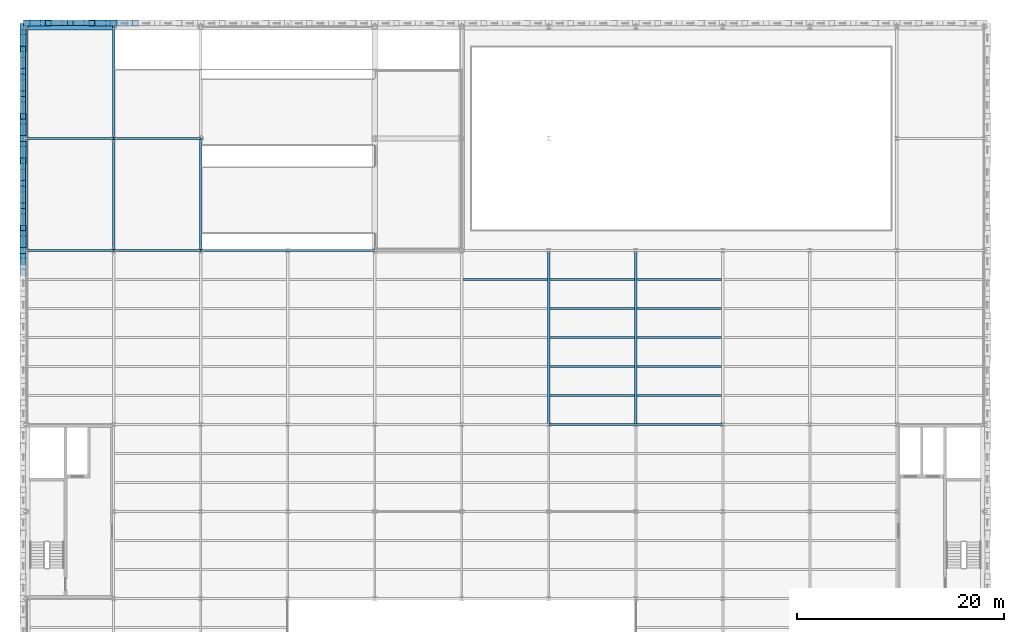
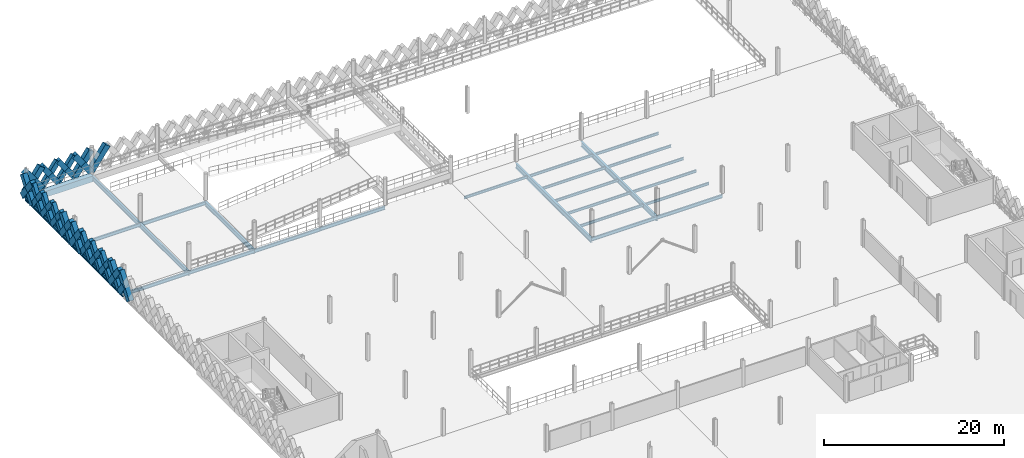
# One storey, part 27 of 74: 47 members, 27 beams.
"""IFC4 building model written with IfcOpenShell, lengths in metres."""

from ifc_helpers import new_model, si_unit, direction, frame, origin, origin_2d, place, context, subcontext, project, spatial, rectangle, hollow_rectangle, i_section, extrude, material, material_profile, profile_set, type_object, element, save


model = new_model("IFC4")

# Units and contexts
model_context = context("Model", 3, precision=1e-05, world=origin(), true_north=direction((0.0, 1.0)))
body_context = subcontext(model_context, "Body", "Model", "MODEL_VIEW")
ifc_project = project(units=[si_unit("LENGTHUNIT", "METRE"), si_unit("AREAUNIT", "SQUARE_METRE"), si_unit("VOLUMEUNIT", "CUBIC_METRE"), si_unit("PLANEANGLEUNIT", "RADIAN"), si_unit("MASSUNIT", "GRAM", prefix="KILO"), si_unit("THERMODYNAMICTEMPERATUREUNIT", "KELVIN"), si_unit("POWERUNIT", "WATT")], contexts=[model_context])

# Site, building, storey
site_placement = place(None, origin())
site = spatial("IfcSite", under=ifc_project, at=site_placement, CompositionType="ELEMENT")
building_placement = place(site_placement, origin())
building = spatial("IfcBuilding", under=site, at=building_placement, Name="Tembeka Court Mobility Hub", CompositionType="ELEMENT")
storey_placement = place(building_placement, frame((0.0, 0.0, 12.60009765625)))
storey = spatial("IfcBuildingStorey", under=building, at=storey_placement, Name="L03", CompositionType="ELEMENT", Elevation=12.60009765625)

# Beams
ifc_material_1 = material(Name="Steel S355", Category="steel")
ifc_material_profile_1 = material_profile(ifc_material_1, i_section(OverallWidth=0.18994140625, OverallDepth=0.45703125, WebThickness=0.009033203125, FlangeThickness=0.014404296875, FilletRadius=0.01025390625, at=origin_2d()), Name="UKB 457x191x74")
ifc_profile_set_1 = profile_set([ifc_material_profile_1], Name="Steel S355")
beam_type_1 = type_object("IfcBeamType", Name="BM-B01", PredefinedType="BEAM", material=ifc_profile_set_1)
beam_1_placement = place(storey_placement, frame((50.39990234375, 80.39990234375, -0.448486328125), z_axis=(1.0, 0.0, 0.0), x_axis=(0.0, 1.0, 0.0)))
element("IfcBeam", 1, at=beam_1_placement, inside=storey, type_object=beam_type_1, Name="Beam B01 (BM-L03-X1787)", PredefinedType="BEAM", context=body_context, shape_type="SweptSolid", body=[
    extrude(i_section(OverallWidth=0.18994140625, OverallDepth=0.45703125, WebThickness=0.009033203125, FlangeThickness=0.014404296875, FilletRadius=0.01025390625, at=origin_2d()), origin(), (0.0, 0.0, 1.0), 8.400146484375),
])
for number, where, z_axis, x_axis, name in (
    (2, (58.800048828125, 80.39990234375, -0.448486328125), (1.0, 0.0, 0.0), (0.0, 1.0, 0.0), "Beam B01 (BM-L03-X1788)"),
    (3, (0.0, 97.199951171875, -0.478515625), (1.0, 0.0, 0.0), (0.0, 1.0, 0.0), "Beam B01 (BM-L03-X1792)"),
):
    element("IfcBeam", number, at=place(storey_placement, frame(where, z_axis=z_axis, x_axis=x_axis)), inside=storey, type_object=beam_type_1, Name=name, PredefinedType="BEAM", context=body_context, shape_type="SweptSolid", body=[
        extrude(i_section(OverallWidth=0.18994140625, OverallDepth=0.45703125, WebThickness=0.009033203125, FlangeThickness=0.014404296875, FilletRadius=0.01025390625, at=origin_2d()), origin(), (0.0, 0.0, 1.0), 8.39990234375),
    ])
beam_2_placement = place(storey_placement, frame((8.39990234375, 97.199951171875, -0.478515625), z_axis=(1.0, 0.0, 0.0), x_axis=(0.0, 1.0, 0.0)))
element("IfcBeam", 4, at=beam_2_placement, inside=storey, type_object=beam_type_1, Name="Beam B01 (BM-L03-X1793)", PredefinedType="BEAM", context=body_context, shape_type="SweptSolid", body=[
    extrude(i_section(OverallWidth=0.18994140625, OverallDepth=0.45703125, WebThickness=0.009033203125, FlangeThickness=0.014404296875, FilletRadius=0.01025390625, at=origin_2d()), origin(), (0.0, 0.0, 1.0), 8.400146484375),
])
beam_3_placement = place(storey_placement, frame((16.800048828125, 97.199951171875, -0.478515625), z_axis=(1.0, 0.0, 0.0), x_axis=(0.0, 1.0, 0.0)))
element("IfcBeam", 5, at=beam_3_placement, inside=storey, type_object=beam_type_1, Name="Beam B01 (BM-L03-X1794)", PredefinedType="BEAM", context=body_context, shape_type="SweptSolid", body=[
    extrude(i_section(OverallWidth=0.18994140625, OverallDepth=0.45703125, WebThickness=0.009033203125, FlangeThickness=0.014404296875, FilletRadius=0.01025390625, at=origin_2d()), origin(), (0.0, 0.0, 1.0), 8.39990234375),
])
beam_4_placement = place(storey_placement, frame((25.199951171875, 97.199951171875, -0.448486328125), z_axis=(1.0, 0.0, 0.0), x_axis=(0.0, 1.0, 0.0)))
element("IfcBeam", 6, at=beam_4_placement, inside=storey, type_object=beam_type_1, Name="Beam B01 (BM-L03-X1795)", PredefinedType="BEAM", context=body_context, shape_type="SweptSolid", body=[
    extrude(i_section(OverallWidth=0.18994140625, OverallDepth=0.45703125, WebThickness=0.009033203125, FlangeThickness=0.014404296875, FilletRadius=0.01025390625, at=origin_2d()), origin(), (0.0, 0.0, 1.0), 8.400146484375),
])
beam_5_placement = place(storey_placement, frame((0.0, 108.0, -0.478515625), z_axis=(1.0, 0.0, 0.0), x_axis=(0.0, 1.0, 0.0)))
element("IfcBeam", 7, at=beam_5_placement, inside=storey, type_object=beam_type_1, Name="Beam B01 (BM-L03-X1803)", PredefinedType="BEAM", context=body_context, shape_type="SweptSolid", body=[
    extrude(i_section(OverallWidth=0.18994140625, OverallDepth=0.45703125, WebThickness=0.009033203125, FlangeThickness=0.014404296875, FilletRadius=0.01025390625, at=origin_2d()), origin(), (0.0, 0.0, 1.0), 8.39990234375),
])
beam_6_placement = place(storey_placement, frame((8.39990234375, 108.0, -0.478515625), z_axis=(1.0, 0.0, 0.0), x_axis=(0.0, 1.0, 0.0)))
element("IfcBeam", 8, at=beam_6_placement, inside=storey, type_object=beam_type_1, Name="Beam B01 (BM-L03-X1804)", PredefinedType="BEAM", context=body_context, shape_type="SweptSolid", body=[
    extrude(i_section(OverallWidth=0.18994140625, OverallDepth=0.45703125, WebThickness=0.009033203125, FlangeThickness=0.014404296875, FilletRadius=0.01025390625, at=origin_2d()), origin(), (0.0, 0.0, 1.0), 8.400146484375),
])
ifc_material_profile_2 = material_profile(ifc_material_1, i_section(OverallWidth=0.25390625, OverallDepth=0.68408203125, WebThickness=0.012451171875, FlangeThickness=0.01904296875, FilletRadius=0.01513671875, at=origin_2d()), Name="UKB 686x254x140")
ifc_profile_set_2 = profile_set([ifc_material_profile_2], Name="Steel S355")
beam_type_2 = type_object("IfcBeamType", Name="BM-G01", PredefinedType="USERDEFINED", material=ifc_profile_set_2)
for number, where, z_axis, x_axis, name in (
    (9, (50.39990234375, 80.39990234375, -0.56201171875), (0.0, 1.0, 0.0), (-1.0, 0.0, 0.0), "Beam G01 (BM-L03-Y1877)"),
    (10, (58.800048828125, 80.39990234375, -0.56201171875), (0.0, 1.0, 0.0), (-1.0, 0.0, 0.0), "Beam G01 (BM-L03-Y1884)"),
):
    element("IfcBeam", number, at=place(storey_placement, frame(where, z_axis=z_axis, x_axis=x_axis)), inside=storey, type_object=beam_type_2, Name=name, ObjectType="GIRDER", PredefinedType="USERDEFINED", context=body_context, shape_type="SweptSolid", body=[
        extrude(i_section(OverallWidth=0.25390625, OverallDepth=0.68408203125, WebThickness=0.012451171875, FlangeThickness=0.01904296875, FilletRadius=0.01513671875, at=origin_2d()), origin(), (0.0, 0.0, 1.0), 16.800048828125),
    ])
ifc_material_profile_3 = material_profile(ifc_material_1, i_section(OverallWidth=0.22900390625, OverallDepth=0.612060546875, WebThickness=0.011962890625, FlangeThickness=0.01953125, FilletRadius=0.0126953125, at=origin_2d()), Name="UKB 610x229x125")
ifc_profile_set_3 = profile_set([ifc_material_profile_3], Name="Steel S355")
beam_type_3 = type_object("IfcBeamType", Name="BM-G02", PredefinedType="USERDEFINED", material=ifc_profile_set_3)
for number, where, z_axis, x_axis, name in (
    (11, (0.0, 97.199951171875, -0.526123046875), (0.0, 1.0, 0.0), (-1.0, 0.0, 0.0), "Beam G02 (BM-L03-Y1825)"),
    (12, (0.0, 108.0, -0.526123046875), (0.0, 1.0, 0.0), (-1.0, 0.0, 0.0), "Beam G02 (BM-L03-Y1826)"),
    (13, (8.39990234375, 97.199951171875, -0.55615234375), (0.0, 1.0, 0.0), (-1.0, 0.0, 0.0), "Beam G02 (BM-L03-Y1836)"),
    (14, (8.39990234375, 108.0, -0.55615234375), (0.0, 1.0, 0.0), (-1.0, 0.0, 0.0), "Beam G02 (BM-L03-Y1837)"),
    (15, (16.800048828125, 97.199951171875, -0.55615234375), (0.0, 1.0, 0.0), (-1.0, 0.0, 0.0), "Beam G02 (BM-L03-Y1847)"),
):
    element("IfcBeam", number, at=place(storey_placement, frame(where, z_axis=z_axis, x_axis=x_axis)), inside=storey, type_object=beam_type_3, Name=name, ObjectType="GIRDER", PredefinedType="USERDEFINED", context=body_context, shape_type="SweptSolid", body=[
        extrude(i_section(OverallWidth=0.22900390625, OverallDepth=0.612060546875, WebThickness=0.011962890625, FlangeThickness=0.01953125, FilletRadius=0.0126953125, at=origin_2d()), origin(), (0.0, 0.0, 1.0), 10.800048828125),
    ])
ifc_material_profile_4 = material_profile(ifc_material_1, i_section(OverallWidth=0.172119140625, OverallDepth=0.35498046875, WebThickness=0.00732421875, FlangeThickness=0.011474609375, FilletRadius=0.01025390625, at=origin_2d()), Name="UKB 356x171x51")
ifc_profile_set_4 = profile_set([ifc_material_profile_4], Name="Steel S355")
beam_type_4 = type_object("IfcBeamType", Name="BM-J01", PredefinedType="JOIST", material=ifc_profile_set_4)
for number, where, z_axis, x_axis, name in (
    (16, (42.1220703125, 94.39990234375, -0.397705078125), (1.0, 0.0, 0.0), (0.0, 1.0, 0.0), "Beam J01 (JST-L03-2051)"),
    (17, (50.52197265625, 83.199951171875, -0.397705078125), (1.0, 0.0, 0.0), (0.0, 1.0, 0.0), "Beam J01 (JST-L03-2065)"),
    (18, (50.52197265625, 86.0, -0.397705078125), (1.0, 0.0, 0.0), (0.0, 1.0, 0.0), "Beam J01 (JST-L03-2066)"),
    (19, (50.52197265625, 88.800048828125, -0.397705078125), (1.0, 0.0, 0.0), (0.0, 1.0, 0.0), "Beam J01 (JST-L03-2067)"),
    (20, (50.52197265625, 91.60009765625, -0.397705078125), (1.0, 0.0, 0.0), (0.0, 1.0, 0.0), "Beam J01 (JST-L03-2068)"),
    (21, (50.52197265625, 94.39990234375, -0.397705078125), (1.0, 0.0, 0.0), (0.0, 1.0, 0.0), "Beam J01 (JST-L03-2069)"),
):
    element("IfcBeam", number, at=place(storey_placement, frame(where, z_axis=z_axis, x_axis=x_axis)), inside=storey, type_object=beam_type_4, Name=name, PredefinedType="JOIST", context=body_context, shape_type="SweptSolid", body=[
        extrude(i_section(OverallWidth=0.172119140625, OverallDepth=0.35498046875, WebThickness=0.00732421875, FlangeThickness=0.011474609375, FilletRadius=0.01025390625, at=origin_2d()), origin(), (0.0, 0.0, 1.0), 8.156005859375),
    ])
for number, where, z_axis, x_axis, name in (
    (22, (58.922119140625, 83.199951171875, -0.397705078125), (1.0, 0.0, 0.0), (0.0, 1.0, 0.0), "Beam J01 (JST-L03-2085)"),
    (23, (58.922119140625, 86.0, -0.397705078125), (1.0, 0.0, 0.0), (0.0, 1.0, 0.0), "Beam J01 (JST-L03-2086)"),
    (24, (58.922119140625, 88.800048828125, -0.397705078125), (1.0, 0.0, 0.0), (0.0, 1.0, 0.0), "Beam J01 (JST-L03-2087)"),
    (25, (58.922119140625, 91.60009765625, -0.397705078125), (1.0, 0.0, 0.0), (0.0, 1.0, 0.0), "Beam J01 (JST-L03-2088)"),
    (26, (58.922119140625, 94.39990234375, -0.397705078125), (1.0, 0.0, 0.0), (0.0, 1.0, 0.0), "Beam J01 (JST-L03-2089)"),
):
    element("IfcBeam", number, at=place(storey_placement, frame(where, z_axis=z_axis, x_axis=x_axis)), inside=storey, type_object=beam_type_4, Name=name, PredefinedType="JOIST", context=body_context, shape_type="SweptSolid", body=[
        extrude(i_section(OverallWidth=0.172119140625, OverallDepth=0.35498046875, WebThickness=0.00732421875, FlangeThickness=0.011474609375, FilletRadius=0.01025390625, at=origin_2d()), origin(), (0.0, 0.0, 1.0), 8.15576171875),
    ])
ifc_material_2 = material(Name="Precast concrete C45/55", Category="concrete")
ifc_material_profile_5 = material_profile(ifc_material_2, rectangle(XDim=0.64990234375, YDim=0.800048828125, at=origin_2d()), Name="PC-SP 650x800")
ifc_profile_set_5 = profile_set([ifc_material_profile_5], Name="Precast concrete C45/55")
beam_type_5 = type_object("IfcBeamType", Name="BM-SP01", PredefinedType="SPANDREL", material=ifc_profile_set_5)
beam_7_placement = place(storey_placement, frame((0.0, 118.800048828125, -0.6201171875), z_axis=(1.0, 0.0, 0.0), x_axis=(0.0, 1.0, 0.0)))
element("IfcBeam", 27, at=beam_7_placement, inside=storey, type_object=beam_type_5, Name="Beam SP01 (BM-L03-X1806)", PredefinedType="SPANDREL", context=body_context, shape_type="SweptSolid", body=[
    extrude(rectangle(XDim=0.64990234375, YDim=0.800048828125, at=origin_2d()), origin(), (0.0, 0.0, 1.0), 8.39990234375),
])

# Members
ifc_material_profile_6 = material_profile(ifc_material_2, rectangle(XDim=0.5, YDim=0.64990234375, at=origin_2d()), Name="PC-DIAG 500x650")
ifc_profile_set_6 = profile_set([ifc_material_profile_6], Name="Precast concrete C45/55")
member_type_1 = type_object("IfcMemberType", Name="MEM-DL01", PredefinedType="BRACE", material=ifc_profile_set_6)
member_1_placement = place(storey_placement, frame((2.10009765625, 119.139892578125, 0.02001953125), z_axis=(0.58253161945, 0.0, 0.812808041509), x_axis=(0.0, 1.0, 0.0)))
element("IfcMember", 28, at=member_1_placement, inside=storey, type_object=member_type_1, Name="Precast diamond lattice continuous strand DL01 (L03-434A)", PredefinedType="BRACE", context=body_context, shape_type="SweptSolid", body=[
    extrude(rectangle(XDim=0.5, YDim=0.64990234375, at=origin_2d()), origin(), (0.0, 0.0, 1.0), 3.604736328125),
])
member_2_placement = place(storey_placement, frame((4.199951171875, 119.139892578125, 0.02001953125), z_axis=(-0.582608431711, 0.0, 0.812752985414), x_axis=(0.0, -1.0, 0.0)))
element("IfcMember", 29, at=member_2_placement, inside=storey, type_object=member_type_1, Name="Precast diamond lattice split lower strand DL01 (L03-434B1)", PredefinedType="BRACE", context=body_context, shape_type="SweptSolid", body=[
    extrude(rectangle(XDim=0.5, YDim=0.64990234375, at=origin_2d()), origin(), (0.0, 0.0, 1.0), 1.80224609375),
])
member_3_placement = place(storey_placement, frame((3.14990234375, 119.139892578125, 1.48486328125), z_axis=(-0.582454804382, 0.0, 0.812863088627), x_axis=(0.0, -1.0, 0.0)))
element("IfcMember", 30, at=member_3_placement, inside=storey, type_object=member_type_1, Name="Precast diamond lattice split upper strand DL01 (L03-434B2)", PredefinedType="BRACE", context=body_context, shape_type="SweptSolid", body=[
    extrude(rectangle(XDim=0.5, YDim=0.64990234375, at=origin_2d()), origin(), (0.0, 0.0, 1.0), 1.802490234375),
])
member_4_placement = place(storey_placement, frame((4.199951171875, 119.139892578125, 0.02001953125), z_axis=(0.582576362011, 0.0, 0.812775973086), x_axis=(0.0, 1.0, 0.0)))
element("IfcMember", 31, at=member_4_placement, inside=storey, type_object=member_type_1, Name="Precast diamond lattice continuous strand DL01 (L03-435A)", PredefinedType="BRACE", context=body_context, shape_type="SweptSolid", body=[
    extrude(rectangle(XDim=0.5, YDim=0.64990234375, at=origin_2d()), origin(), (0.0, 0.0, 1.0), 3.604736328125),
])
member_5_placement = place(storey_placement, frame((6.300048828125, 119.139892578125, 0.02001953125), z_axis=(-0.582608431711, 0.0, 0.812752985414), x_axis=(0.0, -1.0, 0.0)))
element("IfcMember", 32, at=member_5_placement, inside=storey, type_object=member_type_1, Name="Precast diamond lattice split lower strand DL01 (L03-435B1)", PredefinedType="BRACE", context=body_context, shape_type="SweptSolid", body=[
    extrude(rectangle(XDim=0.5, YDim=0.64990234375, at=origin_2d()), origin(), (0.0, 0.0, 1.0), 1.80224609375),
])
member_6_placement = place(storey_placement, frame((5.25, 119.139892578125, 1.48486328125), z_axis=(-0.582544294934, 0.0, 0.812798956963), x_axis=(0.0, -1.0, 0.0)))
element("IfcMember", 33, at=member_6_placement, inside=storey, type_object=member_type_1, Name="Precast diamond lattice split upper strand DL01 (L03-435B2)", PredefinedType="BRACE", context=body_context, shape_type="SweptSolid", body=[
    extrude(rectangle(XDim=0.5, YDim=0.64990234375, at=origin_2d()), origin(), (0.0, 0.0, 1.0), 1.802490234375),
])
member_7_placement = place(storey_placement, frame((-0.340087890625, 99.360107421875, 0.02001953125), z_axis=(0.0, 0.593379766398, 0.804922637792), x_axis=(-1.0, 0.0, 0.0)))
element("IfcMember", 34, at=member_7_placement, inside=storey, type_object=member_type_1, Name="Precast diamond lattice continuous strand DL01 (L03-524C)", PredefinedType="BRACE", context=body_context, shape_type="SweptSolid", body=[
    extrude(rectangle(XDim=0.5, YDim=0.64990234375, at=origin_2d()), origin(), (0.0, 0.0, 1.0), 3.64013671875),
])
for number, where, z_axis, x_axis, name in (
    (35, (-0.340087890625, 101.52001953125, 0.02001953125), (0.0, -0.593455255298, 0.804866982773), (1.0, 0.0, 0.0), "Precast diamond lattice split lower strand DL01 (L03-524D1)"),
    (36, (-0.340087890625, 100.43994140625, 1.48486328125), (0.0, -0.593304274421, 0.804978284151), (1.0, 0.0, 0.0), "Precast diamond lattice split upper strand DL01 (L03-524D2)"),
):
    element("IfcMember", number, at=place(storey_placement, frame(where, z_axis=z_axis, x_axis=x_axis)), inside=storey, type_object=member_type_1, Name=name, PredefinedType="BRACE", context=body_context, shape_type="SweptSolid", body=[
        extrude(rectangle(XDim=0.5, YDim=0.64990234375, at=origin_2d()), origin(), (0.0, 0.0, 1.0), 1.820068359375),
    ])
member_8_placement = place(storey_placement, frame((-0.340087890625, 101.52001953125, 0.02001953125), z_axis=(0.0, 0.593379766398, 0.804922637792), x_axis=(-1.0, 0.0, 0.0)))
element("IfcMember", 37, at=member_8_placement, inside=storey, type_object=member_type_1, Name="Precast diamond lattice continuous strand DL01 (L03-525C)", PredefinedType="BRACE", context=body_context, shape_type="SweptSolid", body=[
    extrude(rectangle(XDim=0.5, YDim=0.64990234375, at=origin_2d()), origin(), (0.0, 0.0, 1.0), 3.64013671875),
])
member_9_placement = place(storey_placement, frame((-0.340087890625, 103.679931640625, 0.02001953125), z_axis=(0.0, -0.593368344659, 0.804931057642), x_axis=(1.0, 0.0, 0.0)))
element("IfcMember", 38, at=member_9_placement, inside=storey, type_object=member_type_1, Name="Precast diamond lattice split lower strand DL01 (L03-525D1)", PredefinedType="BRACE", context=body_context, shape_type="SweptSolid", body=[
    extrude(rectangle(XDim=0.5, YDim=0.64990234375, at=origin_2d()), origin(), (0.0, 0.0, 1.0), 1.81982421875),
])
member_10_placement = place(storey_placement, frame((-0.340087890625, 102.60009765625, 1.48486328125), z_axis=(0.0, -0.593391185876, 0.804914219358), x_axis=(1.0, 0.0, 0.0)))
element("IfcMember", 39, at=member_10_placement, inside=storey, type_object=member_type_1, Name="Precast diamond lattice split upper strand DL01 (L03-525D2)", PredefinedType="BRACE", context=body_context, shape_type="SweptSolid", body=[
    extrude(rectangle(XDim=0.5, YDim=0.64990234375, at=origin_2d()), origin(), (0.0, 0.0, 1.0), 1.820068359375),
])
member_11_placement = place(storey_placement, frame((-0.340087890625, 103.679931640625, 0.02001953125), z_axis=(0.0, 0.593423219328, 0.804890602978), x_axis=(-1.0, 0.0, 0.0)))
element("IfcMember", 40, at=member_11_placement, inside=storey, type_object=member_type_1, Name="Precast diamond lattice continuous strand DL01 (L03-526C)", PredefinedType="BRACE", context=body_context, shape_type="SweptSolid", body=[
    extrude(rectangle(XDim=0.5, YDim=0.64990234375, at=origin_2d()), origin(), (0.0, 0.0, 1.0), 3.64013671875),
])
for number, where, z_axis, x_axis, name in (
    (41, (-0.340087890625, 105.840087890625, 0.02001953125), (0.0, -0.593455255298, 0.804866982773), (1.0, 0.0, 0.0), "Precast diamond lattice split lower strand DL01 (L03-526D1)"),
    (42, (-0.340087890625, 104.760009765625, 1.48486328125), (0.0, -0.593391185876, 0.804914219358), (1.0, 0.0, 0.0), "Precast diamond lattice split upper strand DL01 (L03-526D2)"),
):
    element("IfcMember", number, at=place(storey_placement, frame(where, z_axis=z_axis, x_axis=x_axis)), inside=storey, type_object=member_type_1, Name=name, PredefinedType="BRACE", context=body_context, shape_type="SweptSolid", body=[
        extrude(rectangle(XDim=0.5, YDim=0.64990234375, at=origin_2d()), origin(), (0.0, 0.0, 1.0), 1.820068359375),
    ])
member_12_placement = place(storey_placement, frame((-0.340087890625, 110.159912109375, 0.02001953125), z_axis=(0.0, 0.593423219328, 0.804890602978), x_axis=(-1.0, 0.0, 0.0)))
element("IfcMember", 43, at=member_12_placement, inside=storey, type_object=member_type_1, Name="Precast diamond lattice continuous strand DL01 (L03-529C)", PredefinedType="BRACE", context=body_context, shape_type="SweptSolid", body=[
    extrude(rectangle(XDim=0.5, YDim=0.64990234375, at=origin_2d()), origin(), (0.0, 0.0, 1.0), 3.64013671875),
])
for number, where, z_axis, x_axis, name in (
    (44, (-0.340087890625, 112.320068359375, 0.02001953125), (0.0, -0.593455255298, 0.804866982773), (1.0, 0.0, 0.0), "Precast diamond lattice split lower strand DL01 (L03-529D1)"),
    (45, (-0.340087890625, 111.239990234375, 1.48486328125), (0.0, -0.593391185876, 0.804914219358), (1.0, 0.0, 0.0), "Precast diamond lattice split upper strand DL01 (L03-529D2)"),
):
    element("IfcMember", number, at=place(storey_placement, frame(where, z_axis=z_axis, x_axis=x_axis)), inside=storey, type_object=member_type_1, Name=name, PredefinedType="BRACE", context=body_context, shape_type="SweptSolid", body=[
        extrude(rectangle(XDim=0.5, YDim=0.64990234375, at=origin_2d()), origin(), (0.0, 0.0, 1.0), 1.820068359375),
    ])
member_13_placement = place(storey_placement, frame((-0.340087890625, 112.320068359375, 0.02001953125), z_axis=(0.0, 0.593379766398, 0.804922637792), x_axis=(-1.0, 0.0, 0.0)))
element("IfcMember", 46, at=member_13_placement, inside=storey, type_object=member_type_1, Name="Precast diamond lattice continuous strand DL01 (L03-530C)", PredefinedType="BRACE", context=body_context, shape_type="SweptSolid", body=[
    extrude(rectangle(XDim=0.5, YDim=0.64990234375, at=origin_2d()), origin(), (0.0, 0.0, 1.0), 3.64013671875),
])
for number, where, z_axis, x_axis, name in (
    (47, (-0.340087890625, 114.47998046875, 0.02001953125), (0.0, -0.593455255298, 0.804866982773), (1.0, 0.0, 0.0), "Precast diamond lattice split lower strand DL01 (L03-530D1)"),
    (48, (-0.340087890625, 113.39990234375, 1.48486328125), (0.0, -0.593304274421, 0.804978284151), (1.0, 0.0, 0.0), "Precast diamond lattice split upper strand DL01 (L03-530D2)"),
):
    element("IfcMember", number, at=place(storey_placement, frame(where, z_axis=z_axis, x_axis=x_axis)), inside=storey, type_object=member_type_1, Name=name, PredefinedType="BRACE", context=body_context, shape_type="SweptSolid", body=[
        extrude(rectangle(XDim=0.5, YDim=0.64990234375, at=origin_2d()), origin(), (0.0, 0.0, 1.0), 1.820068359375),
    ])
member_14_placement = place(storey_placement, frame((-0.340087890625, 114.47998046875, 0.02001953125), z_axis=(0.0, 0.593379766398, 0.804922637792), x_axis=(-1.0, 0.0, 0.0)))
element("IfcMember", 49, at=member_14_placement, inside=storey, type_object=member_type_1, Name="Precast diamond lattice continuous strand DL01 (L03-531C)", PredefinedType="BRACE", context=body_context, shape_type="SweptSolid", body=[
    extrude(rectangle(XDim=0.5, YDim=0.64990234375, at=origin_2d()), origin(), (0.0, 0.0, 1.0), 3.64013671875),
])
member_15_placement = place(storey_placement, frame((-0.340087890625, 116.639892578125, 0.02001953125), z_axis=(0.0, -0.593368344659, 0.804931057642), x_axis=(1.0, 0.0, 0.0)))
element("IfcMember", 50, at=member_15_placement, inside=storey, type_object=member_type_1, Name="Precast diamond lattice split lower strand DL01 (L03-531D1)", PredefinedType="BRACE", context=body_context, shape_type="SweptSolid", body=[
    extrude(rectangle(XDim=0.5, YDim=0.64990234375, at=origin_2d()), origin(), (0.0, 0.0, 1.0), 1.81982421875),
])
member_16_placement = place(storey_placement, frame((-0.340087890625, 115.56005859375, 1.48486328125), z_axis=(0.0, -0.593391185876, 0.804914219358), x_axis=(1.0, 0.0, 0.0)))
element("IfcMember", 51, at=member_16_placement, inside=storey, type_object=member_type_1, Name="Precast diamond lattice split upper strand DL01 (L03-531D2)", PredefinedType="BRACE", context=body_context, shape_type="SweptSolid", body=[
    extrude(rectangle(XDim=0.5, YDim=0.64990234375, at=origin_2d()), origin(), (0.0, 0.0, 1.0), 1.820068359375),
])
ifc_material_profile_7 = material_profile(ifc_material_2, rectangle(XDim=0.60009765625, YDim=0.75, at=origin_2d()), Name="PC-DIAG 600x750")
ifc_profile_set_7 = profile_set([ifc_material_profile_7], Name="Precast concrete C45/55")
member_type_2 = type_object("IfcMemberType", Name="MEM-DL02", PredefinedType="BRACE", material=ifc_profile_set_7)
member_17_placement = place(storey_placement, frame((0.0, 119.139892578125, 0.02001953125), z_axis=(0.582576362011, 0.0, 0.812775973086), x_axis=(0.0, 1.0, 0.0)))
element("IfcMember", 52, at=member_17_placement, inside=storey, type_object=member_type_2, Name="Precast diamond lattice continuous strand DL02 (L03-433A)", PredefinedType="BRACE", context=body_context, shape_type="SweptSolid", body=[
    extrude(rectangle(XDim=0.60009765625, YDim=0.75, at=origin_2d()), origin(), (0.0, 0.0, 1.0), 3.604736328125),
])
member_18_placement = place(storey_placement, frame((2.10009765625, 119.139892578125, 0.02001953125), z_axis=(-0.582608431711, 0.0, 0.812752985414), x_axis=(0.0, -1.0, 0.0)))
element("IfcMember", 53, at=member_18_placement, inside=storey, type_object=member_type_2, Name="Precast diamond lattice split lower strand DL02 (L03-433B1)", PredefinedType="BRACE", context=body_context, shape_type="SweptSolid", body=[
    extrude(rectangle(XDim=0.60009765625, YDim=0.75, at=origin_2d()), origin(), (0.0, 0.0, 1.0), 1.80224609375),
])
member_19_placement = place(storey_placement, frame((1.050048828125, 119.139892578125, 1.48486328125), z_axis=(-0.582544294934, 0.0, 0.812798956963), x_axis=(0.0, -1.0, 0.0)))
element("IfcMember", 54, at=member_19_placement, inside=storey, type_object=member_type_2, Name="Precast diamond lattice split upper strand DL02 (L03-433B2)", PredefinedType="BRACE", context=body_context, shape_type="SweptSolid", body=[
    extrude(rectangle(XDim=0.60009765625, YDim=0.75, at=origin_2d()), origin(), (0.0, 0.0, 1.0), 1.802490234375),
])
member_20_placement = place(storey_placement, frame((6.300048828125, 119.139892578125, 0.02001953125), z_axis=(0.58253161945, 0.0, 0.812808041509), x_axis=(0.0, 1.0, 0.0)))
element("IfcMember", 55, at=member_20_placement, inside=storey, type_object=member_type_2, Name="Precast diamond lattice continuous strand DL02 (L03-436A)", PredefinedType="BRACE", context=body_context, shape_type="SweptSolid", body=[
    extrude(rectangle(XDim=0.60009765625, YDim=0.75, at=origin_2d()), origin(), (0.0, 0.0, 1.0), 3.604736328125),
])
member_21_placement = place(storey_placement, frame((8.39990234375, 119.139892578125, 0.02001953125), z_axis=(-0.582518941428, 0.0, 0.812817127574), x_axis=(0.0, -1.0, 0.0)))
element("IfcMember", 56, at=member_21_placement, inside=storey, type_object=member_type_2, Name="Precast diamond lattice split lower strand DL02 (L03-436B1)", PredefinedType="BRACE", context=body_context, shape_type="SweptSolid", body=[
    extrude(rectangle(XDim=0.60009765625, YDim=0.75, at=origin_2d()), origin(), (0.0, 0.0, 1.0), 1.80224609375),
])
member_22_placement = place(storey_placement, frame((7.35009765625, 119.139892578125, 1.48486328125), z_axis=(-0.582544294934, 0.0, 0.812798956963), x_axis=(0.0, -1.0, 0.0)))
element("IfcMember", 57, at=member_22_placement, inside=storey, type_object=member_type_2, Name="Precast diamond lattice split upper strand DL02 (L03-436B2)", PredefinedType="BRACE", context=body_context, shape_type="SweptSolid", body=[
    extrude(rectangle(XDim=0.60009765625, YDim=0.75, at=origin_2d()), origin(), (0.0, 0.0, 1.0), 1.802490234375),
])
for number, where, z_axis, x_axis, name in (
    (58, (8.39990234375, 119.139892578125, 0.02001953125), (0.582576362011, 0.0, 0.812775973086), (0.0, 1.0, 0.0), "Precast diamond lattice continuous strand DL02 (L03-437A)"),
    (59, (-0.340087890625, 95.10009765625, 0.02001953125), (0.0, 0.58253161945, 0.812808041509), (-1.0, 0.0, 0.0), "Precast diamond lattice continuous strand DL02 (L03-522C)"),
):
    element("IfcMember", number, at=place(storey_placement, frame(where, z_axis=z_axis, x_axis=x_axis)), inside=storey, type_object=member_type_2, Name=name, PredefinedType="BRACE", context=body_context, shape_type="SweptSolid", body=[
        extrude(rectangle(XDim=0.60009765625, YDim=0.75, at=origin_2d()), origin(), (0.0, 0.0, 1.0), 3.604736328125),
    ])
member_23_placement = place(storey_placement, frame((-0.340087890625, 97.199951171875, 0.02001953125), z_axis=(0.0, -0.582608431711, 0.812752985414), x_axis=(1.0, 0.0, 0.0)))
element("IfcMember", 60, at=member_23_placement, inside=storey, type_object=member_type_2, Name="Precast diamond lattice split lower strand DL02 (L03-522D1)", PredefinedType="BRACE", context=body_context, shape_type="SweptSolid", body=[
    extrude(rectangle(XDim=0.60009765625, YDim=0.75, at=origin_2d()), origin(), (0.0, 0.0, 1.0), 1.80224609375),
])
member_24_placement = place(storey_placement, frame((-0.340087890625, 97.199951171875, 0.02001953125), z_axis=(0.0, 0.593423219328, 0.804890602978), x_axis=(-1.0, 0.0, 0.0)))
element("IfcMember", 61, at=member_24_placement, inside=storey, type_object=member_type_2, Name="Precast diamond lattice continuous strand DL02 (L03-523C)", PredefinedType="BRACE", context=body_context, shape_type="SweptSolid", body=[
    extrude(rectangle(XDim=0.60009765625, YDim=0.75, at=origin_2d()), origin(), (0.0, 0.0, 1.0), 3.64013671875),
])
for number, where, z_axis, x_axis, name in (
    (62, (-0.340087890625, 99.360107421875, 0.02001953125), (0.0, -0.593455255298, 0.804866982773), (1.0, 0.0, 0.0), "Precast diamond lattice split lower strand DL02 (L03-523D1)"),
    (63, (-0.340087890625, 98.280029296875, 1.48486328125), (0.0, -0.593391185876, 0.804914219358), (1.0, 0.0, 0.0), "Precast diamond lattice split upper strand DL02 (L03-523D2)"),
):
    element("IfcMember", number, at=place(storey_placement, frame(where, z_axis=z_axis, x_axis=x_axis)), inside=storey, type_object=member_type_2, Name=name, PredefinedType="BRACE", context=body_context, shape_type="SweptSolid", body=[
        extrude(rectangle(XDim=0.60009765625, YDim=0.75, at=origin_2d()), origin(), (0.0, 0.0, 1.0), 1.820068359375),
    ])
member_25_placement = place(storey_placement, frame((-0.340087890625, 105.840087890625, 0.02001953125), z_axis=(0.0, 0.593379766398, 0.804922637792), x_axis=(-1.0, 0.0, 0.0)))
element("IfcMember", 64, at=member_25_placement, inside=storey, type_object=member_type_2, Name="Precast diamond lattice continuous strand DL02 (L03-527C)", PredefinedType="BRACE", context=body_context, shape_type="SweptSolid", body=[
    extrude(rectangle(XDim=0.60009765625, YDim=0.75, at=origin_2d()), origin(), (0.0, 0.0, 1.0), 3.64013671875),
])
for number, where, z_axis, x_axis, name in (
    (65, (-0.340087890625, 108.0, 0.02001953125), (0.0, -0.593455255298, 0.804866982773), (1.0, 0.0, 0.0), "Precast diamond lattice split lower strand DL02 (L03-527D1)"),
    (66, (-0.340087890625, 106.919921875, 1.48486328125), (0.0, -0.593304274421, 0.804978284151), (1.0, 0.0, 0.0), "Precast diamond lattice split upper strand DL02 (L03-527D2)"),
):
    element("IfcMember", number, at=place(storey_placement, frame(where, z_axis=z_axis, x_axis=x_axis)), inside=storey, type_object=member_type_2, Name=name, PredefinedType="BRACE", context=body_context, shape_type="SweptSolid", body=[
        extrude(rectangle(XDim=0.60009765625, YDim=0.75, at=origin_2d()), origin(), (0.0, 0.0, 1.0), 1.820068359375),
    ])
member_26_placement = place(storey_placement, frame((-0.340087890625, 108.0, 0.02001953125), z_axis=(0.0, 0.593379766398, 0.804922637792), x_axis=(-1.0, 0.0, 0.0)))
element("IfcMember", 67, at=member_26_placement, inside=storey, type_object=member_type_2, Name="Precast diamond lattice continuous strand DL02 (L03-528C)", PredefinedType="BRACE", context=body_context, shape_type="SweptSolid", body=[
    extrude(rectangle(XDim=0.60009765625, YDim=0.75, at=origin_2d()), origin(), (0.0, 0.0, 1.0), 3.64013671875),
])
member_27_placement = place(storey_placement, frame((-0.340087890625, 110.159912109375, 0.02001953125), z_axis=(0.0, -0.593368344659, 0.804931057642), x_axis=(1.0, 0.0, 0.0)))
element("IfcMember", 68, at=member_27_placement, inside=storey, type_object=member_type_2, Name="Precast diamond lattice split lower strand DL02 (L03-528D1)", PredefinedType="BRACE", context=body_context, shape_type="SweptSolid", body=[
    extrude(rectangle(XDim=0.60009765625, YDim=0.75, at=origin_2d()), origin(), (0.0, 0.0, 1.0), 1.81982421875),
])
member_28_placement = place(storey_placement, frame((-0.340087890625, 109.080078125, 1.48486328125), z_axis=(0.0, -0.593391185876, 0.804914219358), x_axis=(1.0, 0.0, 0.0)))
element("IfcMember", 69, at=member_28_placement, inside=storey, type_object=member_type_2, Name="Precast diamond lattice split upper strand DL02 (L03-528D2)", PredefinedType="BRACE", context=body_context, shape_type="SweptSolid", body=[
    extrude(rectangle(XDim=0.60009765625, YDim=0.75, at=origin_2d()), origin(), (0.0, 0.0, 1.0), 1.820068359375),
])
member_29_placement = place(storey_placement, frame((-0.340087890625, 116.639892578125, 0.02001953125), z_axis=(0.0, 0.593423219328, 0.804890602978), x_axis=(-1.0, 0.0, 0.0)))
element("IfcMember", 70, at=member_29_placement, inside=storey, type_object=member_type_2, Name="Precast diamond lattice continuous strand DL02 (L03-532C)", PredefinedType="BRACE", context=body_context, shape_type="SweptSolid", body=[
    extrude(rectangle(XDim=0.60009765625, YDim=0.75, at=origin_2d()), origin(), (0.0, 0.0, 1.0), 3.64013671875),
])
for number, where, z_axis, x_axis, name in (
    (71, (-0.340087890625, 118.800048828125, 0.02001953125), (0.0, -0.593455255298, 0.804866982773), (1.0, 0.0, 0.0), "Precast diamond lattice split lower strand DL02 (L03-532D1)"),
    (72, (-0.340087890625, 117.719970703125, 1.48486328125), (0.0, -0.593391185876, 0.804914219358), (1.0, 0.0, 0.0), "Precast diamond lattice split upper strand DL02 (L03-532D2)"),
):
    element("IfcMember", number, at=place(storey_placement, frame(where, z_axis=z_axis, x_axis=x_axis)), inside=storey, type_object=member_type_2, Name=name, PredefinedType="BRACE", context=body_context, shape_type="SweptSolid", body=[
        extrude(rectangle(XDim=0.60009765625, YDim=0.75, at=origin_2d()), origin(), (0.0, 0.0, 1.0), 1.820068359375),
    ])
ifc_material_profile_8 = material_profile(ifc_material_1, hollow_rectangle(XDim=0.14990234375, YDim=0.300048828125, WallThickness=0.010009765625, at=origin_2d()), Name="RHS 300x150x10")
ifc_profile_set_8 = profile_set([ifc_material_profile_8], Name="Steel S355")
member_type_3 = type_object("IfcMemberType", Name="MEM-ST03", PredefinedType="STRUT", material=ifc_profile_set_8)
for number, where, z_axis, x_axis, name in (
    (73, (-0.340087890625, 97.199951171875, 0.02001953125), (0.0, 1.0, 0.0), (-1.0, 0.0, 0.0), "Proud lattice sill tie chord SR03 (L03-W-97)"),
    (74, (-0.340087890625, 108.0, 0.02001953125), (0.0, 1.0, 0.0), (-1.0, 0.0, 0.0), "Proud lattice sill tie chord SR03 (L03-W-108)"),
):
    element("IfcMember", number, at=place(storey_placement, frame(where, z_axis=z_axis, x_axis=x_axis)), inside=storey, type_object=member_type_3, Name=name, PredefinedType="STRUT", context=body_context, shape_type="SweptSolid", body=[
        extrude(hollow_rectangle(XDim=0.14990234375, YDim=0.300048828125, WallThickness=0.010009765625, at=origin_2d()), origin(), (0.0, 0.0, 1.0), 10.800048828125),
    ])

save(model, "model.ifc")
